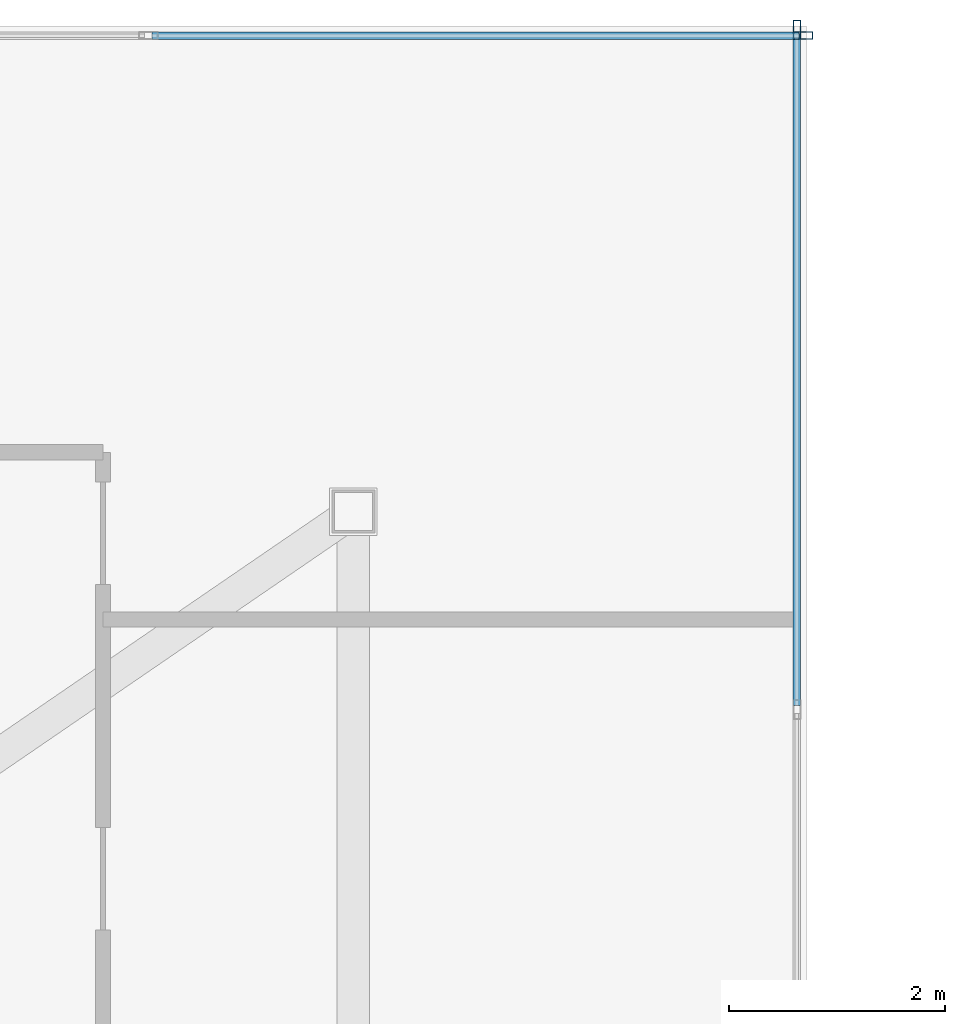
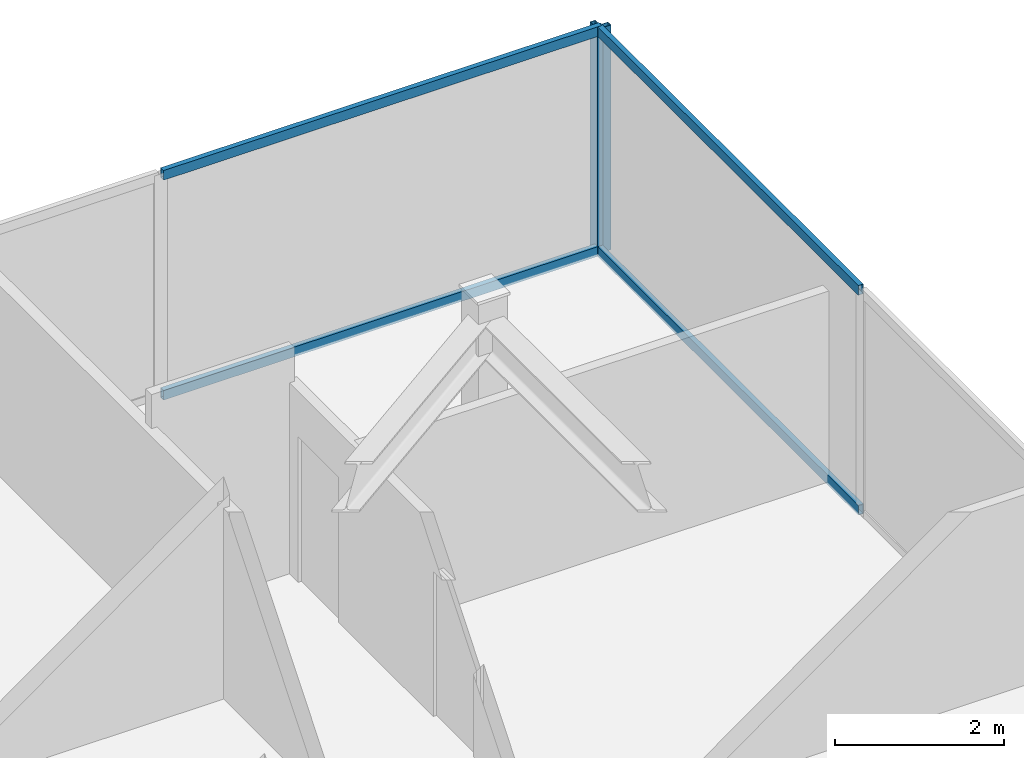
# One storey, part 13 of 16: 6 members, 2 elements without a shape of their own.
"""IFC4 building model written with IfcOpenShell, lengths in metres."""

from ifc_helpers import new_model, si_unit, direction, frame, origin, origin_2d, place, context, subcontext, project, spatial, hollow_rectangle, extrude, source, transform, mapped, material, material_profile, profile_set, type_object, type_shapes, element, aggregate, save


model = new_model("IFC4")

# Units and contexts
model_context = context("Model", 3, precision=1e-05, world=origin(), true_north=direction((0.0, 1.0)))
body_context = subcontext(model_context, "Body", "Model", "MODEL_VIEW")
ifc_project = project(units=[si_unit("LENGTHUNIT", "METRE"), si_unit("AREAUNIT", "SQUARE_METRE"), si_unit("VOLUMEUNIT", "CUBIC_METRE"), si_unit("PLANEANGLEUNIT", "RADIAN"), si_unit("MASSUNIT", "GRAM", prefix="KILO")], contexts=[model_context])

# Site, building, storey
site_placement = place(None, origin())
site = spatial("IfcSite", under=ifc_project, at=site_placement, CompositionType="ELEMENT")
building_placement = place(site_placement, origin())
building = spatial("IfcBuilding", under=site, at=building_placement, Name="Krantzveldt Concourse Tower", CompositionType="ELEMENT")
storey_placement = place(building_placement, frame((0.0, 0.0, 385.449951171875)))
storey = spatial("IfcBuildingStorey", under=building, at=storey_placement, Name="L95", CompositionType="ELEMENT", Elevation=385.449951171875)

# Curtain wall, members
ifc_material = material(Name="Anodised aluminium 6063-T6", Category="aluminium")
curtain_wall_type = type_object("IfcCurtainWallType", Name="CW7", PredefinedType="USERDEFINED", material=ifc_material)
curtain_wall_1_placement = place(storey_placement, origin())
curtain_wall_1 = element("IfcCurtainWall", 1, at=curtain_wall_1_placement, inside=storey, type_object=curtain_wall_type, Name="CW-L95-WEST-02", ObjectType="UNITISED CURTAIN WALL", PredefinedType="USERDEFINED")
ifc_material_profile_1 = material_profile(ifc_material, hollow_rectangle(XDim=0.070068359375, YDim=0.139892578125, WallThickness=0.0048828125, at=origin_2d()), Name="Anodised aluminium 6063-T6", Category="aluminium")
ifc_profile_set_1 = profile_set([ifc_material_profile_1], Name="Anodised aluminium 6063-T6 - ALU-TRAN 140x70x5")
member_type_1 = type_object("IfcMemberType", Name="CW-TRN-150", PredefinedType="USERDEFINED", material=ifc_profile_set_1)
shared_shape_1 = source(origin(), body_context, "Body", "SweptSolid", [
    extrude(hollow_rectangle(XDim=0.070068359375, YDim=0.139892578125, WallThickness=0.0048828125, at=origin_2d()), origin(), (0.0, 0.0, 1.0), 5.994873046875),
])
member_1_placement = place(storey_placement, frame((34.72998046875, 45.610107421875, 0.03515625), z_axis=(-1.0, 0.0, 0.0), x_axis=(0.0, -1.0, 0.0)))
member_1 = element("IfcMember", 2, at=member_1_placement, type_object=member_type_1, Name="CW-CRN transom 1.1", ObjectType="TRANSOM", PredefinedType="USERDEFINED", context=body_context, shape_type="MappedRepresentation", body=[
    mapped(shared_shape_1, transform((0.0, 0.0, 0.0), x_axis=(1.0, 0.0, 0.0), y_axis=(0.0, 1.0, 0.0), z_axis=(0.0, 0.0, 1.0), scale=1.0)),
])
member_2_placement = place(storey_placement, frame((34.72998046875, 45.610107421875, 3.215087890625), z_axis=(-1.0, 0.0, 0.0), x_axis=(0.0, -1.0, 0.0)))
member_2 = element("IfcMember", 3, at=member_2_placement, type_object=member_type_1, Name="CW-CRN transom 1.2", ObjectType="TRANSOM", PredefinedType="USERDEFINED", context=body_context, shape_type="MappedRepresentation", body=[
    mapped(shared_shape_1, transform((0.0, 0.0, 0.0), x_axis=(1.0, 0.0, 0.0), y_axis=(0.0, 1.0, 0.0), z_axis=(0.0, 0.0, 1.0), scale=1.0)),
])

curtain_wall_2_placement = place(storey_placement, origin())
curtain_wall_2 = element("IfcCurtainWall", 4, at=curtain_wall_2_placement, inside=storey, type_object=curtain_wall_type, Name="CW-L95-WEST-01", ObjectType="UNITISED CURTAIN WALL", PredefinedType="USERDEFINED")
shared_shape_2 = source(origin(), body_context, "Body", "SweptSolid", [
    extrude(hollow_rectangle(XDim=0.070068359375, YDim=0.139892578125, WallThickness=0.0048828125, at=origin_2d()), origin(), (0.0, 0.0, 1.0), 6.228271484375),
])
type_shapes(member_type_1, [shared_shape_1, shared_shape_2])
member_3_placement = place(storey_placement, frame((34.7099609375, 39.401611328125, 0.03515625), z_axis=(0.0, 1.0, 0.0), x_axis=(-1.0, 0.0, 0.0)))
member_3 = element("IfcMember", 5, at=member_3_placement, type_object=member_type_1, Name="CW-CRN transom 6.1", ObjectType="TRANSOM", PredefinedType="USERDEFINED", context=body_context, shape_type="MappedRepresentation", body=[
    mapped(shared_shape_2, transform((0.0, 0.0, 0.0), x_axis=(1.0, 0.0, 0.0), y_axis=(0.0, 1.0, 0.0), z_axis=(0.0, 0.0, 1.0), scale=1.0)),
])
member_4_placement = place(storey_placement, frame((34.7099609375, 39.401611328125, 3.215087890625), z_axis=(0.0, 1.0, 0.0), x_axis=(-1.0, 0.0, 0.0)))
member_4 = element("IfcMember", 6, at=member_4_placement, type_object=member_type_1, Name="CW-CRN transom 6.2", ObjectType="TRANSOM", PredefinedType="USERDEFINED", context=body_context, shape_type="MappedRepresentation", body=[
    mapped(shared_shape_2, transform((0.0, 0.0, 0.0), x_axis=(1.0, 0.0, 0.0), y_axis=(0.0, 1.0, 0.0), z_axis=(0.0, 0.0, 1.0), scale=1.0)),
])
ifc_material_profile_2 = material_profile(ifc_material, hollow_rectangle(XDim=0.070068359375, YDim=0.179931640625, WallThickness=0.0048828125, at=origin_2d()), Name="Anodised aluminium 6063-T6", Category="aluminium")
ifc_profile_set_2 = profile_set([ifc_material_profile_2], Name="Anodised aluminium 6063-T6 - ALU-MULL 180x70x5")
member_type_2 = type_object("IfcMemberType", Name="CW-MUL-180", PredefinedType="MULLION", material=ifc_profile_set_2)
shared_shape_3 = source(origin(), body_context, "Body", "SweptSolid", [
    extrude(hollow_rectangle(XDim=0.070068359375, YDim=0.179931640625, WallThickness=0.0048828125, at=origin_2d()), origin(), (0.0, 0.0, 1.0), 3.25),
])
type_shapes(member_type_2, [shared_shape_3])
member_5_placement = place(storey_placement, frame((34.7099609375, 45.6650390625, 0.0), z_axis=(0.0, 0.0, 1.0), x_axis=(-1.0, 0.0, 0.0)))
member_5 = element("IfcMember", 7, at=member_5_placement, type_object=member_type_2, Name="CW-CRN mullion 7", PredefinedType="MULLION", context=body_context, shape_type="MappedRepresentation", body=[
    mapped(shared_shape_3, transform((0.0, 0.0, 0.0), x_axis=(1.0, 0.0, 0.0), y_axis=(0.0, 1.0, 0.0), z_axis=(0.0, 0.0, 1.0), scale=1.0)),
])
aggregate(curtain_wall_2, [member_5, member_3, member_4])

# Member
member_6_placement = place(storey_placement, frame((34.764892578125, 45.610107421875, 0.0), z_axis=(0.0, 0.0, 1.0), x_axis=(0.0, -1.0, 0.0)))
member_6 = element("IfcMember", 8, at=member_6_placement, type_object=member_type_2, Name="CW-CRN mullion 1", PredefinedType="MULLION", context=body_context, shape_type="MappedRepresentation", body=[
    mapped(shared_shape_3, transform((0.0, 0.0, 0.0), x_axis=(1.0, 0.0, 0.0), y_axis=(0.0, 1.0, 0.0), z_axis=(0.0, 0.0, 1.0), scale=1.0)),
])

aggregate(curtain_wall_1, [member_6, member_1, member_2])

save(model, "model.ifc")
